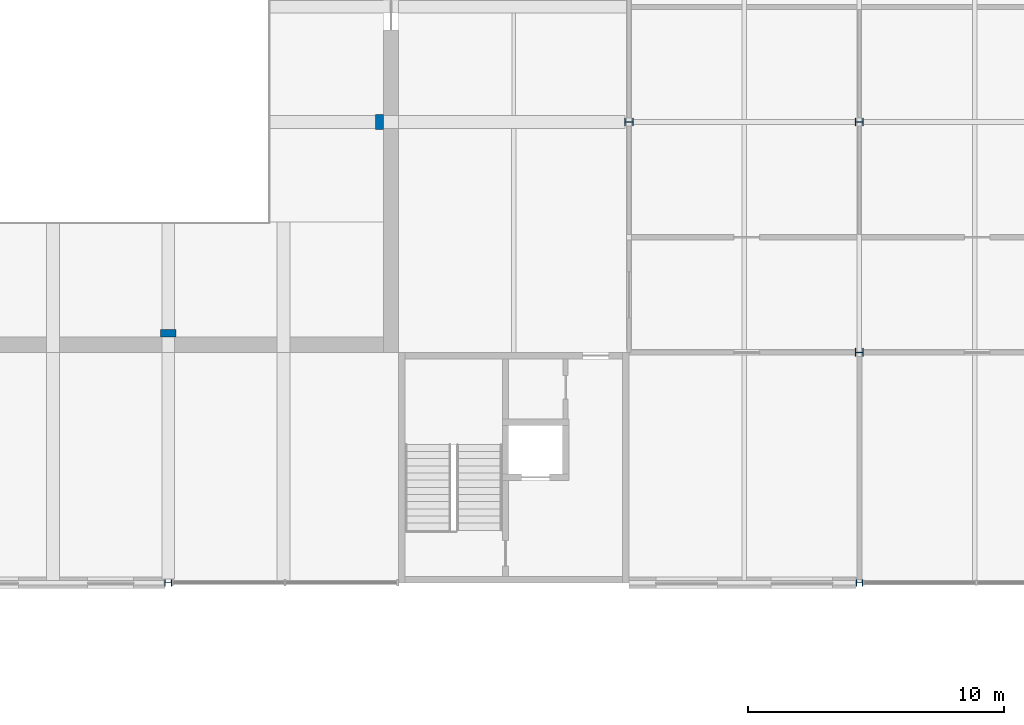
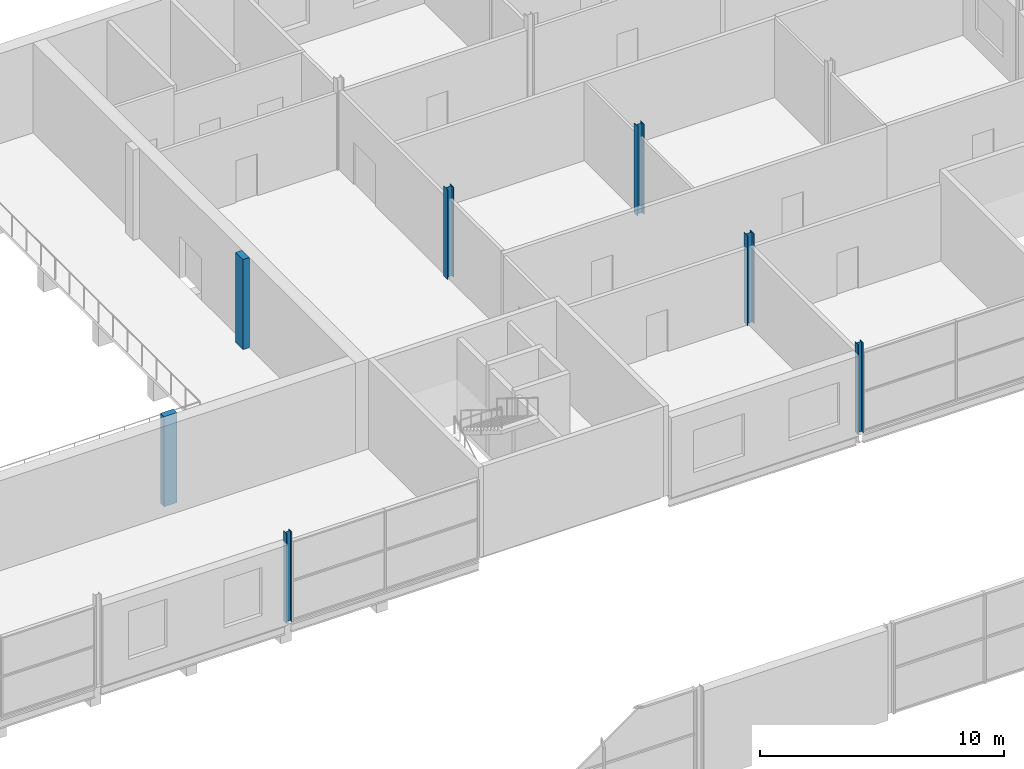
# One storey, part 23 of 97: 7 columns.
"""IFC4 building model written with IfcOpenShell, lengths in metres."""

from ifc_helpers import new_model, si_unit, direction, frame, origin, origin_2d, place, context, subcontext, project, spatial, rectangle, i_section, extrude, material, material_profile, profile_set, type_object, element, save


model = new_model("IFC4")

# Units and contexts
model_context = context("Model", 3, precision=1e-05, world=origin(), true_north=direction((0.0, 1.0)))
body_context = subcontext(model_context, "Body", "Model", "MODEL_VIEW")
ifc_project = project(units=[si_unit("LENGTHUNIT", "METRE"), si_unit("AREAUNIT", "SQUARE_METRE"), si_unit("VOLUMEUNIT", "CUBIC_METRE"), si_unit("PLANEANGLEUNIT", "RADIAN"), si_unit("MASSUNIT", "GRAM", prefix="KILO")], contexts=[model_context])

# Site, building, storey
site_placement = place(None, origin())
site = spatial("IfcSite", under=ifc_project, at=site_placement, CompositionType="ELEMENT")
building_placement = place(site_placement, origin())
building = spatial("IfcBuilding", under=site, at=building_placement, Name="Corbel Yard City Hall", CompositionType="ELEMENT")
storey_placement = place(building_placement, frame((0.0, 0.0, 6.0)))
storey = spatial("IfcBuildingStorey", under=building, at=storey_placement, Name="L01", CompositionType="ELEMENT", Elevation=6.0)

# Columns
ifc_material_1 = material(Name="Concrete N50 (50 MPa)", Category="concrete")
ifc_material_profile_1 = material_profile(ifc_material_1, rectangle(XDim=0.60009765625, YDim=0.300048828125, at=origin_2d()), Name="600x300")
ifc_profile_set_1 = profile_set([ifc_material_profile_1], Name="Concrete N50 (50 MPa)")
column_type_1 = type_object("IfcColumnType", Name="Chamber pilaster RC 600X300", PredefinedType="PILASTER", material=ifc_profile_set_1)
for number, where, z_axis, x_axis, name in (
    (1, (135.0, 54.75, 0.0), (0.0, 0.0, 1.0), (1.0, 0.0, 0.0), "Chamber pilaster RC 600X300 RC2 L01"),
    (2, (143.25, 63.0, 0.0), (0.0, 0.0, 1.0), (0.0, 1.0, 0.0), "Chamber pilaster RC 600X300 RC2 L01"),
):
    element("IfcColumn", number, at=place(storey_placement, frame(where, z_axis=z_axis, x_axis=x_axis)), inside=storey, type_object=column_type_1, Name=name, PredefinedType="PILASTER", context=body_context, shape_type="SweptSolid", body=[
        extrude(rectangle(XDim=0.60009765625, YDim=0.300048828125, at=origin_2d()), origin(), (0.0, 0.0, 1.0), 4.5),
    ])
ifc_material_2 = material(Name="Steel Grade 300 (300 MPa yield)", Category="steel")
ifc_material_profile_2 = material_profile(ifc_material_2, i_section(OverallWidth=0.256103515625, OverallDepth=0.260009765625, WebThickness=0.010498046875, FlangeThickness=0.017333984375, at=origin_2d()), Name="250UC89.5")
ifc_profile_set_2 = profile_set([ifc_material_profile_2], Name="Steel Grade 300 (300 MPa yield)")
column_type_2 = type_object("IfcColumnType", Name="Column 250UC89.5", PredefinedType="COLUMN", material=ifc_profile_set_2)
for number, where, z_axis, x_axis, name in (
    (3, (135.0, 45.0, 0.0), (0.0, 0.0, 1.0), (0.0, 1.0, 0.0), "Column 250UC89.5 F/16 L01"),
    (4, (162.0, 45.0, 0.0), (0.0, 0.0, 1.0), (0.0, 1.0, 0.0), "Column 250UC89.5 F/19 L01"),
):
    element("IfcColumn", number, at=place(storey_placement, frame(where, z_axis=z_axis, x_axis=x_axis)), inside=storey, type_object=column_type_2, Name=name, PredefinedType="COLUMN", context=body_context, shape_type="SweptSolid", body=[
        extrude(i_section(OverallWidth=0.256103515625, OverallDepth=0.260009765625, WebThickness=0.010498046875, FlangeThickness=0.017333984375, at=origin_2d()), origin(), (0.0, 0.0, 1.0), 4.5),
    ])
ifc_material_profile_3 = material_profile(ifc_material_2, i_section(OverallWidth=0.306884765625, OverallDepth=0.31494140625, WebThickness=0.011962890625, FlangeThickness=0.018798828125, at=origin_2d()), Name="310UC118")
ifc_profile_set_3 = profile_set([ifc_material_profile_3], Name="Steel Grade 300 (300 MPa yield)")
column_type_3 = type_object("IfcColumnType", Name="Column 310UC118", PredefinedType="COLUMN", material=ifc_profile_set_3)
for number, where, z_axis, x_axis, name in (
    (5, (153.0, 63.0, 0.0), (0.0, 0.0, 1.0), (0.0, 1.0, 0.0), "Column 310UC118 H/18 L01"),
    (6, (162.0, 54.0, 0.0), (0.0, 0.0, 1.0), (0.0, 1.0, 0.0), "Column 310UC118 G/19 L01"),
    (7, (162.0, 63.0, 0.0), (0.0, 0.0, 1.0), (0.0, 1.0, 0.0), "Column 310UC118 H/19 L01"),
):
    element("IfcColumn", number, at=place(storey_placement, frame(where, z_axis=z_axis, x_axis=x_axis)), inside=storey, type_object=column_type_3, Name=name, PredefinedType="COLUMN", context=body_context, shape_type="SweptSolid", body=[
        extrude(i_section(OverallWidth=0.306884765625, OverallDepth=0.31494140625, WebThickness=0.011962890625, FlangeThickness=0.018798828125, at=origin_2d()), origin(), (0.0, 0.0, 1.0), 4.5),
    ])

save(model, "model.ifc")
